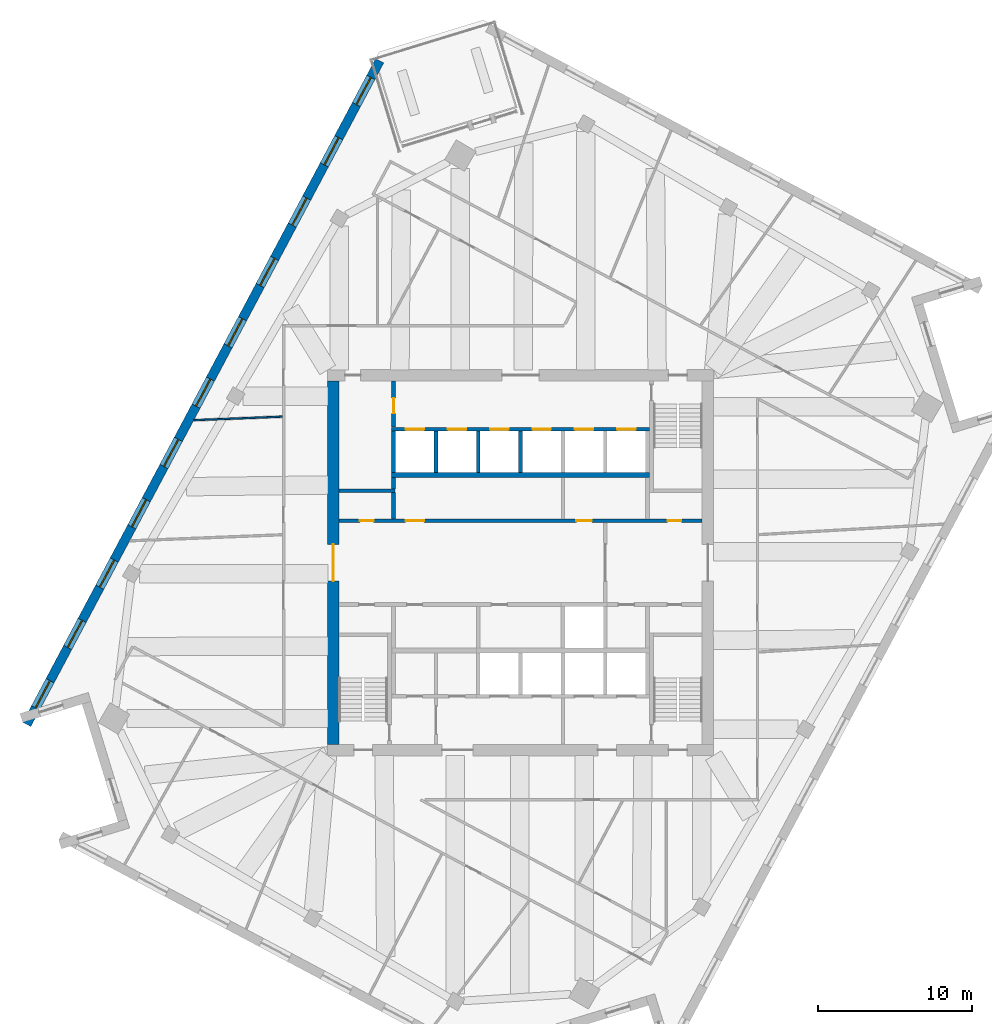
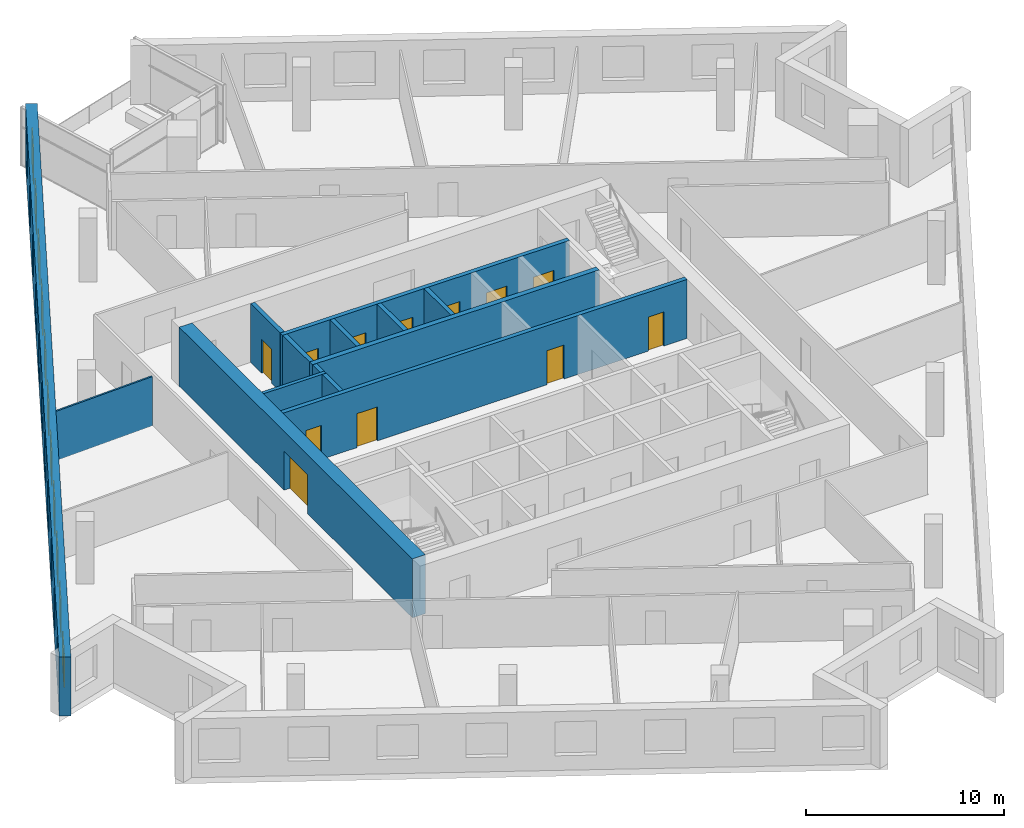
# One storey, part 9 of 13: 14 walls, 12 doors, 11 windows, 23 openings.
"""IFC4 building model written with IfcOpenShell, lengths in metres."""

from ifc_helpers import new_model, si_unit, direction, frame, frame_2d, origin, place, context, subcontext, project, spatial, rectangle, extrude, material, layer, layer_set, type_object, element, fill, save


model = new_model("IFC4")

# Units and contexts
model_context = context("Model", 3, precision=1e-05, world=origin(), true_north=direction((0.0, 1.0)))
body_context = subcontext(model_context, "Body", "Model", "MODEL_VIEW")
ifc_project = project(units=[si_unit("LENGTHUNIT", "METRE"), si_unit("AREAUNIT", "SQUARE_METRE"), si_unit("VOLUMEUNIT", "CUBIC_METRE"), si_unit("PLANEANGLEUNIT", "RADIAN"), si_unit("MASSUNIT", "GRAM", prefix="KILO")], contexts=[model_context])

# Site, building, storey
site_placement = place(None, origin())
site = spatial("IfcSite", under=ifc_project, at=site_placement, CompositionType="ELEMENT")
building_placement = place(site_placement, origin())
building = spatial("IfcBuilding", under=site, at=building_placement, Name="Dilmun Exchange Tower", CompositionType="ELEMENT")
storey_placement = place(building_placement, frame((0.0, 0.0, 278.89990234375)))
storey = spatial("IfcBuildingStorey", under=building, at=storey_placement, Name="L66", CompositionType="ELEMENT", Elevation=278.89990234375)

# Wall
ifc_material_1 = material(Name="Concrete C40/50", Category="concrete")
ifc_layer_1 = layer(ifc_material_1, 0.199951171875)
ifc_layer_set_1 = layer_set([ifc_layer_1], Name="Concrete C40/50")
wall_type_1 = type_object("IfcWallType", Name="Core partition wall 200", PredefinedType="PARTITIONING", material=ifc_layer_set_1)
wall_1_placement = place(storey_placement, frame((-11.794921875, 4.675048828125, 0.0), z_axis=(0.0, 0.0, 1.0), x_axis=(1.0, 0.0, 0.0)))
element("IfcWall", 1, at=wall_1_placement, inside=storey, type_object=wall_type_1, Name="L66 core partition wall 17", PredefinedType="PARTITIONING", context=body_context, shape_type="SweptSolid", body=[
    extrude(rectangle(XDim=3.64501953125, YDim=0.199951171875, at=frame_2d((1.822509765625, 0.0))), origin(), (0.0, 0.0, 1.0), 3.64013671875),
])

# Wall, openings, doors
ifc_layer_2 = layer(ifc_material_1, 0.25)
ifc_layer_set_2 = layer_set([ifc_layer_2], Name="Concrete C40/50")
wall_type_2 = type_object("IfcWallType", Name="Core partition wall 250", PredefinedType="PARTITIONING", material=ifc_layer_set_2)
wall_2_placement = place(storey_placement, frame((-11.794921875, 2.72509765625, 0.0), z_axis=(0.0, 0.0, 1.0), x_axis=(1.0, 0.0, 0.0)))
wall_2 = element("IfcWall", 2, at=wall_2_placement, inside=storey, type_object=wall_type_2, Name="L66 core partition wall 13", PredefinedType="PARTITIONING", context=body_context, shape_type="SweptSolid", body=[
    extrude(rectangle(XDim=23.58984375, YDim=0.25, at=frame_2d((11.794921875, 0.0))), origin(), (0.0, 0.0, 1.0), 3.64013671875),
])
opening_1_placement = place(wall_2_placement, frame((21.344970703125, 0.0, 0.0)))
opening_1 = element("IfcOpeningElement", 3, at=opening_1_placement, cuts=wall_2, Name="Opening CD6", PredefinedType="OPENING", context=body_context, shape_type="SweptSolid", body=[
    extrude(rectangle(XDim=0.89990234375, YDim=2.10009765625, at=frame_2d((0.449951171875, 1.050048828125))), frame((0.0, 0.135009765625, 0.0), z_axis=(0.0, -1.0, 0.0), x_axis=(1.0, 0.0, 0.0)), (0.0, 0.0, 1.0), 0.27001953125),
])
opening_2_placement = place(wall_2_placement, frame((1.344970703125, 0.0, 0.0)))
opening_2 = element("IfcOpeningElement", 4, at=opening_2_placement, cuts=wall_2, Name="Opening CD6", PredefinedType="OPENING", context=body_context, shape_type="SweptSolid", body=[
    extrude(rectangle(XDim=0.89990234375, YDim=2.10009765625, at=frame_2d((0.449951171875, 1.050048828125))), frame((0.0, 0.135009765625, 0.0), z_axis=(0.0, -1.0, 0.0), x_axis=(1.0, 0.0, 0.0)), (0.0, 0.0, 1.0), 0.27001953125),
])
opening_3_placement = place(wall_2_placement, frame((4.320068359375, 0.0, 0.0)))
opening_3 = element("IfcOpeningElement", 5, at=opening_3_placement, cuts=wall_2, Name="Opening CD3", PredefinedType="OPENING", context=body_context, shape_type="SweptSolid", body=[
    extrude(rectangle(XDim=1.199951171875, YDim=2.10009765625, at=frame_2d((0.60009765625, 1.050048828125))), frame((0.0, 0.135009765625, 0.0), z_axis=(0.0, -1.0, 0.0), x_axis=(1.0, 0.0, 0.0)), (0.0, 0.0, 1.0), 0.27001953125),
])
opening_4_placement = place(wall_2_placement, frame((15.419921875, 0.0, 0.0)))
opening_4 = element("IfcOpeningElement", 6, at=opening_4_placement, cuts=wall_2, Name="Opening CD4", PredefinedType="OPENING", context=body_context, shape_type="SweptSolid", body=[
    extrude(rectangle(XDim=1.0, YDim=2.10009765625, at=frame_2d((0.5, 1.050048828125))), frame((0.0, 0.135009765625, 0.0), z_axis=(0.0, -1.0, 0.0), x_axis=(1.0, 0.0, 0.0)), (0.0, 0.0, 1.0), 0.27001953125),
])
ifc_material_2 = material(Name="Fire-rated steel door set", Category="steel")
door_type_1 = type_object("IfcDoorType", Name="Core room door 1000x2100", OperationType="SINGLE_SWING_LEFT", PredefinedType="DOOR", material=ifc_material_2)
door_1_placement = place(opening_4_placement, origin())
door_1 = element("IfcDoor", 7, at=door_1_placement, inside=storey, type_object=door_type_1, Name="L66 door Print and mail room", OperationType="SINGLE_SWING_LEFT", OverallHeight=2.10009765625, OverallWidth=1.0, PredefinedType="DOOR", context=body_context, shape_type="SweptSolid", body=[
    extrude(rectangle(XDim=1.0, YDim=2.10009765625, at=frame_2d((0.5, 1.050048828125))), frame((0.0, 0.02490234375, 0.0), z_axis=(0.0, -1.0, 0.0), x_axis=(1.0, 0.0, 0.0)), (0.0, 0.0, 1.0), 0.050048828125),
])
fill(opening_4, door_1)
door_type_2 = type_object("IfcDoorType", Name="Core room door 900x2100", OperationType="SINGLE_SWING_LEFT", PredefinedType="DOOR", material=ifc_material_2)
door_2_placement = place(opening_1_placement, origin())
door_2 = element("IfcDoor", 8, at=door_2_placement, inside=storey, type_object=door_type_2, Name="L66 door Electrical riser", OperationType="SINGLE_SWING_LEFT", OverallHeight=2.10009765625, OverallWidth=0.89990234375, PredefinedType="DOOR", context=body_context, shape_type="SweptSolid", body=[
    extrude(rectangle(XDim=0.89990234375, YDim=2.10009765625, at=frame_2d((0.449951171875, 1.050048828125))), frame((0.0, 0.02490234375, 0.0), z_axis=(0.0, -1.0, 0.0), x_axis=(1.0, 0.0, 0.0)), (0.0, 0.0, 1.0), 0.050048828125),
])
fill(opening_1, door_2)
door_3_placement = place(opening_2_placement, origin())
door_3 = element("IfcDoor", 9, at=door_3_placement, inside=storey, type_object=door_type_2, Name="L66 door Plumbing riser", OperationType="SINGLE_SWING_LEFT", OverallHeight=2.10009765625, OverallWidth=0.89990234375, PredefinedType="DOOR", context=body_context, shape_type="SweptSolid", body=[
    extrude(rectangle(XDim=0.89990234375, YDim=2.10009765625, at=frame_2d((0.449951171875, 1.050048828125))), frame((0.0, 0.02490234375, 0.0), z_axis=(0.0, -1.0, 0.0), x_axis=(1.0, 0.0, 0.0)), (0.0, 0.0, 1.0), 0.050048828125),
])
fill(opening_2, door_3)
door_type_3 = type_object("IfcDoorType", Name="Stair exit door 1200x2100", OperationType="SINGLE_SWING_LEFT", PredefinedType="DOOR", material=ifc_material_2)
door_4_placement = place(opening_3_placement, origin())
door_4 = element("IfcDoor", 10, at=door_4_placement, inside=storey, type_object=door_type_3, Name="L66 door Facilities workshop", OperationType="SINGLE_SWING_LEFT", OverallHeight=2.10009765625, OverallWidth=1.199951171875, PredefinedType="DOOR", context=body_context, shape_type="SweptSolid", body=[
    extrude(rectangle(XDim=1.199951171875, YDim=2.10009765625, at=frame_2d((0.60009765625, 1.050048828125))), frame((0.0, 0.02490234375, 0.0), z_axis=(0.0, -1.0, 0.0), x_axis=(1.0, 0.0, 0.0)), (0.0, 0.0, 1.0), 0.050048828125),
])
fill(opening_3, door_4)

# Walls
wall_3_placement = place(storey_placement, frame((-8.25, 2.85498046875, 0.0), z_axis=(0.0, 0.0, 1.0), x_axis=(0.0, 1.0, 0.0)))
element("IfcWall", 11, at=wall_3_placement, inside=storey, type_object=wall_type_2, Name="L66 core partition wall 14", PredefinedType="PARTITIONING", context=body_context, shape_type="SweptSolid", body=[
    extrude(rectangle(XDim=1.715087890625, YDim=0.25, at=frame_2d((0.857421875, 0.0))), origin(), (0.0, 0.0, 1.0), 3.64013671875),
])
wall_4_placement = place(storey_placement, frame((-8.25, 4.780029296875, 0.0), z_axis=(0.0, 0.0, 1.0), x_axis=(0.0, 1.0, 0.0)))
element("IfcWall", 12, at=wall_4_placement, inside=storey, type_object=wall_type_2, Name="L66 core partition wall 18", PredefinedType="PARTITIONING", context=body_context, shape_type="SweptSolid", body=[
    extrude(rectangle(XDim=0.764892578125, YDim=0.25, at=frame_2d((0.38232421875, 0.0))), origin(), (0.0, 0.0, 1.0), 3.64013671875),
])

# Wall, opening, door
wall_5_placement = place(storey_placement, frame((-8.25, 8.804931640625, 0.0), z_axis=(0.0, 0.0, 1.0), x_axis=(0.0, 1.0, 0.0)))
wall_5 = element("IfcWall", 13, at=wall_5_placement, inside=storey, type_object=wall_type_2, Name="L66 core partition wall 19", PredefinedType="PARTITIONING", context=body_context, shape_type="SweptSolid", body=[
    extrude(rectangle(XDim=2.989990234375, YDim=0.25, at=frame_2d((1.4951171875, 0.0))), origin(), (0.0, 0.0, 1.0), 3.64013671875),
])
opening_5_placement = place(wall_5_placement, frame((0.89501953125, 0.0, 0.0)))
opening_5 = element("IfcOpeningElement", 14, at=opening_5_placement, cuts=wall_5, Name="Opening CD4", PredefinedType="OPENING", context=body_context, shape_type="SweptSolid", body=[
    extrude(rectangle(XDim=1.0, YDim=2.10009765625, at=frame_2d((0.5, 1.050048828125))), frame((0.0, 0.135009765625, 0.0), z_axis=(0.0, -1.0, 0.0), x_axis=(1.0, 0.0, 0.0)), (0.0, 0.0, 1.0), 0.27001953125),
])
door_5_placement = place(opening_5_placement, origin())
door_5 = element("IfcDoor", 15, at=door_5_placement, inside=storey, type_object=door_type_1, Name="L66 door Facilities office", OperationType="SINGLE_SWING_LEFT", OverallHeight=2.10009765625, OverallWidth=1.0, PredefinedType="DOOR", context=body_context, shape_type="SweptSolid", body=[
    extrude(rectangle(XDim=1.0, YDim=2.10009765625, at=frame_2d((0.5, 1.050048828125))), frame((0.0, 0.02490234375, 0.0), z_axis=(0.0, -1.0, 0.0), x_axis=(1.0, 0.0, 0.0)), (0.0, 0.0, 1.0), 0.050048828125),
])
fill(opening_5, door_5)

ifc_material_3 = material(Name="Concrete C50/60", Category="concrete")
ifc_layer_3 = layer(ifc_material_3, 0.75)
ifc_layer_set_3 = layer_set([ifc_layer_3], Name="Concrete C50/60")
wall_type_3 = type_object("IfcWallType", Name="Core shear wall 750 Concrete C50/60", PredefinedType="SHEAR", material=ifc_layer_set_3)
wall_6_placement = place(storey_placement, frame((-12.175048828125, -11.800048828125, 0.0), z_axis=(0.0, 0.0, 1.0), x_axis=(0.0, 1.0, 0.0)))
wall_6 = element("IfcWall", 16, at=wall_6_placement, inside=storey, type_object=wall_type_3, Name="L66 core shear wall W", PredefinedType="SHEAR", context=body_context, shape_type="SweptSolid", body=[
    extrude(rectangle(XDim=23.60009765625, YDim=0.75, at=frame_2d((11.800048828125, 0.0))), origin(), (0.0, 0.0, 1.0), 3.64013671875),
])
opening_6_placement = place(wall_6_placement, frame((10.60009765625, 0.0, 0.0)))
opening_6 = element("IfcOpeningElement", 17, at=opening_6_placement, cuts=wall_6, Name="Opening CD1", PredefinedType="OPENING", context=body_context, shape_type="SweptSolid", body=[
    extrude(rectangle(XDim=2.39990234375, YDim=2.39990234375, at=frame_2d((1.199951171875, 1.199951171875))), frame((0.0, 0.385009765625, 0.0), z_axis=(0.0, -1.0, 0.0), x_axis=(1.0, 0.0, 0.0)), (0.0, 0.0, 1.0), 0.77001953125),
])
door_type_4 = type_object("IfcDoorType", Name="Core lobby door 2400x2400", OperationType="DOUBLE_DOOR_DOUBLE_SWING", PredefinedType="DOOR", material=ifc_material_2)
door_6_placement = place(opening_6_placement, origin())
door_6 = element("IfcDoor", 18, at=door_6_placement, inside=storey, type_object=door_type_4, Name="L66 door Central lift lobby", OperationType="SINGLE_SWING_LEFT", OverallHeight=2.39990234375, OverallWidth=2.39990234375, PredefinedType="DOOR", context=body_context, shape_type="SweptSolid", body=[
    extrude(rectangle(XDim=2.39990234375, YDim=2.39990234375, at=frame_2d((1.199951171875, 1.199951171875))), frame((0.0, 0.02490234375, 0.0), z_axis=(0.0, -1.0, 0.0), x_axis=(1.0, 0.0, 0.0)), (0.0, 0.0, 1.0), 0.050048828125),
])
fill(opening_6, door_6)

# Wall
ifc_layer_4 = layer(ifc_material_1, 0.300048828125)
ifc_layer_set_4 = layer_set([ifc_layer_4], Name="Concrete C40/50")
wall_type_4 = type_object("IfcWallType", Name="Lift shaft shared wall 300", PredefinedType="SOLIDWALL", material=ifc_layer_set_4)
wall_7_placement = place(storey_placement, frame((-8.375, 5.699951171875, 0.0), z_axis=(0.0, 0.0, 1.0), x_axis=(1.0, 0.0, 0.0)))
element("IfcWall", 19, at=wall_7_placement, inside=storey, type_object=wall_type_4, Name="L66 lift shaft rear wall N", PredefinedType="SOLIDWALL", context=body_context, shape_type="SweptSolid", body=[
    extrude(rectangle(XDim=16.75, YDim=0.300048828125, at=frame_2d((8.375, 0.0))), origin(), (0.0, 0.0, 1.0), 3.64013671875),
])

# Wall, openings, doors
ifc_layer_5 = layer(ifc_material_1, 0.25)
ifc_layer_set_5 = layer_set([ifc_layer_5], Name="Concrete C40/50")
wall_type_5 = type_object("IfcWallType", Name="Lift shaft wall 250", PredefinedType="SOLIDWALL", material=ifc_layer_set_5)
wall_8_placement = place(storey_placement, frame((-8.375, 8.675048828125, 0.0), z_axis=(0.0, 0.0, 1.0), x_axis=(1.0, 0.0, 0.0)))
wall_8 = element("IfcWall", 20, at=wall_8_placement, inside=storey, type_object=wall_type_5, Name="L66 lift shaft front wall N2", PredefinedType="SOLIDWALL", context=body_context, shape_type="SweptSolid", body=[
    extrude(rectangle(XDim=16.75, YDim=0.25, at=frame_2d((8.375, 0.0))), origin(), (0.0, 0.0, 1.0), 3.64013671875),
])
opening_7_placement = place(wall_8_placement, frame((0.89990234375, 0.0, 0.0)))
opening_7 = element("IfcOpeningElement", 21, at=opening_7_placement, cuts=wall_8, Name="Opening LD", PredefinedType="OPENING", context=body_context, shape_type="SweptSolid", body=[
    extrude(rectangle(XDim=1.199951171875, YDim=2.10009765625, at=frame_2d((0.60009765625, 1.050048828125))), frame((0.0, 0.135009765625, 0.0), z_axis=(0.0, -1.0, 0.0), x_axis=(1.0, 0.0, 0.0)), (0.0, 0.0, 1.0), 0.27001953125),
])
opening_8_placement = place(wall_8_placement, frame((3.64990234375, 0.0, 0.0)))
opening_8 = element("IfcOpeningElement", 22, at=opening_8_placement, cuts=wall_8, Name="Opening LD", PredefinedType="OPENING", context=body_context, shape_type="SweptSolid", body=[
    extrude(rectangle(XDim=1.199951171875, YDim=2.10009765625, at=frame_2d((0.60009765625, 1.050048828125))), frame((0.0, 0.135009765625, 0.0), z_axis=(0.0, -1.0, 0.0), x_axis=(1.0, 0.0, 0.0)), (0.0, 0.0, 1.0), 0.27001953125),
])
opening_9_placement = place(wall_8_placement, frame((6.39990234375, 0.0, 0.0)))
opening_9 = element("IfcOpeningElement", 23, at=opening_9_placement, cuts=wall_8, Name="Opening LD", PredefinedType="OPENING", context=body_context, shape_type="SweptSolid", body=[
    extrude(rectangle(XDim=1.199951171875, YDim=2.10009765625, at=frame_2d((0.60009765625, 1.050048828125))), frame((0.0, 0.135009765625, 0.0), z_axis=(0.0, -1.0, 0.0), x_axis=(1.0, 0.0, 0.0)), (0.0, 0.0, 1.0), 0.27001953125),
])
opening_10_placement = place(wall_8_placement, frame((9.14990234375, 0.0, 0.0)))
opening_10 = element("IfcOpeningElement", 24, at=opening_10_placement, cuts=wall_8, Name="Opening LD", PredefinedType="OPENING", context=body_context, shape_type="SweptSolid", body=[
    extrude(rectangle(XDim=1.199951171875, YDim=2.10009765625, at=frame_2d((0.60009765625, 1.050048828125))), frame((0.0, 0.135009765625, 0.0), z_axis=(0.0, -1.0, 0.0), x_axis=(1.0, 0.0, 0.0)), (0.0, 0.0, 1.0), 0.27001953125),
])
opening_11_placement = place(wall_8_placement, frame((11.89990234375, 0.0, 0.0)))
opening_11 = element("IfcOpeningElement", 25, at=opening_11_placement, cuts=wall_8, Name="Opening LD", PredefinedType="OPENING", context=body_context, shape_type="SweptSolid", body=[
    extrude(rectangle(XDim=1.199951171875, YDim=2.10009765625, at=frame_2d((0.60009765625, 1.050048828125))), frame((0.0, 0.135009765625, 0.0), z_axis=(0.0, -1.0, 0.0), x_axis=(1.0, 0.0, 0.0)), (0.0, 0.0, 1.0), 0.27001953125),
])
opening_12_placement = place(wall_8_placement, frame((14.64990234375, 0.0, 0.0)))
opening_12 = element("IfcOpeningElement", 26, at=opening_12_placement, cuts=wall_8, Name="Opening LD", PredefinedType="OPENING", context=body_context, shape_type="SweptSolid", body=[
    extrude(rectangle(XDim=1.199951171875, YDim=2.10009765625, at=frame_2d((0.60009765625, 1.050048828125))), frame((0.0, 0.135009765625, 0.0), z_axis=(0.0, -1.0, 0.0), x_axis=(1.0, 0.0, 0.0)), (0.0, 0.0, 1.0), 0.27001953125),
])
door_type_5 = type_object("IfcDoorType", Name="Lift landing door 1200x2100", OperationType="DOUBLE_DOOR_SLIDING", PredefinedType="DOOR", material=ifc_material_2)
door_7_placement = place(opening_7_placement, origin())
door_7 = element("IfcDoor", 27, at=door_7_placement, inside=storey, type_object=door_type_5, Name="L66 landing door HR1", OperationType="DOUBLE_DOOR_SLIDING", OverallHeight=2.10009765625, OverallWidth=1.199951171875, PredefinedType="DOOR", context=body_context, shape_type="SweptSolid", body=[
    extrude(rectangle(XDim=1.199951171875, YDim=2.10009765625, at=frame_2d((0.60009765625, 1.050048828125))), frame((0.0, 0.02490234375, 0.0), z_axis=(0.0, -1.0, 0.0), x_axis=(1.0, 0.0, 0.0)), (0.0, 0.0, 1.0), 0.050048828125),
])
fill(opening_7, door_7)
door_8_placement = place(opening_8_placement, origin())
door_8 = element("IfcDoor", 28, at=door_8_placement, inside=storey, type_object=door_type_5, Name="L66 landing door HR2", OperationType="DOUBLE_DOOR_SLIDING", OverallHeight=2.10009765625, OverallWidth=1.199951171875, PredefinedType="DOOR", context=body_context, shape_type="SweptSolid", body=[
    extrude(rectangle(XDim=1.199951171875, YDim=2.10009765625, at=frame_2d((0.60009765625, 1.050048828125))), frame((0.0, 0.02490234375, 0.0), z_axis=(0.0, -1.0, 0.0), x_axis=(1.0, 0.0, 0.0)), (0.0, 0.0, 1.0), 0.050048828125),
])
fill(opening_8, door_8)
door_9_placement = place(opening_9_placement, origin())
door_9 = element("IfcDoor", 29, at=door_9_placement, inside=storey, type_object=door_type_5, Name="L66 landing door HR3", OperationType="DOUBLE_DOOR_SLIDING", OverallHeight=2.10009765625, OverallWidth=1.199951171875, PredefinedType="DOOR", context=body_context, shape_type="SweptSolid", body=[
    extrude(rectangle(XDim=1.199951171875, YDim=2.10009765625, at=frame_2d((0.60009765625, 1.050048828125))), frame((0.0, 0.02490234375, 0.0), z_axis=(0.0, -1.0, 0.0), x_axis=(1.0, 0.0, 0.0)), (0.0, 0.0, 1.0), 0.050048828125),
])
fill(opening_9, door_9)
door_10_placement = place(opening_10_placement, origin())
door_10 = element("IfcDoor", 30, at=door_10_placement, inside=storey, type_object=door_type_5, Name="L66 landing door HR4", OperationType="DOUBLE_DOOR_SLIDING", OverallHeight=2.10009765625, OverallWidth=1.199951171875, PredefinedType="DOOR", context=body_context, shape_type="SweptSolid", body=[
    extrude(rectangle(XDim=1.199951171875, YDim=2.10009765625, at=frame_2d((0.60009765625, 1.050048828125))), frame((0.0, 0.02490234375, 0.0), z_axis=(0.0, -1.0, 0.0), x_axis=(1.0, 0.0, 0.0)), (0.0, 0.0, 1.0), 0.050048828125),
])
fill(opening_10, door_10)
door_11_placement = place(opening_11_placement, origin())
door_11 = element("IfcDoor", 31, at=door_11_placement, inside=storey, type_object=door_type_5, Name="L66 landing door HR5", OperationType="DOUBLE_DOOR_SLIDING", OverallHeight=2.10009765625, OverallWidth=1.199951171875, PredefinedType="DOOR", context=body_context, shape_type="SweptSolid", body=[
    extrude(rectangle(XDim=1.199951171875, YDim=2.10009765625, at=frame_2d((0.60009765625, 1.050048828125))), frame((0.0, 0.02490234375, 0.0), z_axis=(0.0, -1.0, 0.0), x_axis=(1.0, 0.0, 0.0)), (0.0, 0.0, 1.0), 0.050048828125),
])
fill(opening_11, door_11)
door_12_placement = place(opening_12_placement, origin())
door_12 = element("IfcDoor", 32, at=door_12_placement, inside=storey, type_object=door_type_5, Name="L66 landing door HR6", OperationType="DOUBLE_DOOR_SLIDING", OverallHeight=2.10009765625, OverallWidth=1.199951171875, PredefinedType="DOOR", context=body_context, shape_type="SweptSolid", body=[
    extrude(rectangle(XDim=1.199951171875, YDim=2.10009765625, at=frame_2d((0.60009765625, 1.050048828125))), frame((0.0, 0.02490234375, 0.0), z_axis=(0.0, -1.0, 0.0), x_axis=(1.0, 0.0, 0.0)), (0.0, 0.0, 1.0), 0.050048828125),
])
fill(opening_12, door_12)

# Walls
for number, where, z_axis, x_axis, name in (
    (33, (-8.25, 5.85009765625, 0.0), (0.0, 0.0, 1.0), (0.0, 1.0, 0.0), "L66 lift shaft divider N20"),
    (34, (-5.5, 5.85009765625, 0.0), (0.0, 0.0, 1.0), (0.0, 1.0, 0.0), "L66 lift shaft divider N21"),
    (35, (-2.75, 5.85009765625, 0.0), (0.0, 0.0, 1.0), (0.0, 1.0, 0.0), "L66 lift shaft divider N22"),
    (36, (0.0, 5.85009765625, 0.0), (0.0, 0.0, 1.0), (0.0, 1.0, 0.0), "L66 lift shaft divider N23"),
):
    element("IfcWall", number, at=place(storey_placement, frame(where, z_axis=z_axis, x_axis=x_axis)), inside=storey, type_object=wall_type_5, Name=name, PredefinedType="SOLIDWALL", context=body_context, shape_type="SweptSolid", body=[
        extrude(rectangle(XDim=2.699951171875, YDim=0.25, at=frame_2d((1.35009765625, 0.0))), origin(), (0.0, 0.0, 1.0), 3.64013671875),
    ])
ifc_material_4 = material(Name="Partition 100")
ifc_layer_6 = layer(ifc_material_4, 0.10009765625)
ifc_layer_set_6 = layer_set([ifc_layer_6], Name="Partition 100")
wall_type_6 = type_object("IfcWallType", Name="Partition 100", PredefinedType="PARTITIONING", material=ifc_layer_set_6)
wall_9_placement = place(storey_placement, frame((-21.235107421875, 9.262939453125, 0.0), z_axis=(0.0, 0.0, 1.0), x_axis=(0.999203325676, 0.039908820555, 0.0)))
element("IfcWall", 37, at=wall_9_placement, inside=storey, type_object=wall_type_6, Name="Partition", PredefinedType="PARTITIONING", context=body_context, shape_type="SweptSolid", body=[
    extrude(rectangle(XDim=5.7626953125, YDim=0.10009765625, at=frame_2d((2.88134765625, 0.0))), origin(), (0.0, 0.0, 1.0), 3.0400390625),
])

# Wall, openings, windows
ifc_material_5 = material(Name="Precast concrete C50/60", Category="concrete")
ifc_layer_7 = layer(ifc_material_5, 0.60009765625)
ifc_layer_set_7 = layer_set([ifc_layer_7], Name="Precast concrete C50/60")
wall_type_7 = type_object("IfcWallType", Name="Precast stone-clad wall 600", PredefinedType="STANDARD", material=ifc_layer_set_7)
wall_10_placement = place(storey_placement, frame((-9.158935546875, 32.617919921875, 0.0), z_axis=(0.0, 0.0, 1.0), x_axis=(-0.469470468388, -0.88294817476, 0.0)))
wall_10 = element("IfcWall", 38, at=wall_10_placement, inside=storey, type_object=wall_type_7, Name="Facade wall L66-03", PredefinedType="STANDARD", context=body_context, shape_type="SweptSolid", body=[
    extrude(rectangle(XDim=48.84326171875, YDim=0.60009765625, at=frame_2d((24.421630859375, 0.0))), origin(), (0.0, 0.0, 1.0), 3.64013671875),
])
opening_13_placement = place(wall_10_placement, frame((1.22021484375, 0.0, 0.89990234375)))
opening_13 = element("IfcOpeningElement", 39, at=opening_13_placement, cuts=wall_10, Name="Opening W200-210", PredefinedType="OPENING", context=body_context, shape_type="SweptSolid", body=[
    extrude(rectangle(XDim=2.0, YDim=2.10009765625, at=frame_2d((1.0, 1.050048828125))), frame((0.0, 0.31005859375, 0.0), z_axis=(0.0, -1.0, 0.0), x_axis=(1.0, 0.0, 0.0)), (0.0, 0.0, 1.0), 0.6201171875),
])
opening_14_placement = place(wall_10_placement, frame((5.660400390625, 0.0, 0.89990234375)))
opening_14 = element("IfcOpeningElement", 40, at=opening_14_placement, cuts=wall_10, Name="Opening W200-210", PredefinedType="OPENING", context=body_context, shape_type="SweptSolid", body=[
    extrude(rectangle(XDim=2.0, YDim=2.10009765625, at=frame_2d((1.0, 1.050048828125))), frame((0.0, 0.31005859375, 0.0), z_axis=(0.0, -1.0, 0.0), x_axis=(1.0, 0.0, 0.0)), (0.0, 0.0, 1.0), 0.6201171875),
])
opening_15_placement = place(wall_10_placement, frame((10.1005859375, 0.0, 0.89990234375)))
opening_15 = element("IfcOpeningElement", 41, at=opening_15_placement, cuts=wall_10, Name="Opening W200-210", PredefinedType="OPENING", context=body_context, shape_type="SweptSolid", body=[
    extrude(rectangle(XDim=2.0, YDim=2.10009765625, at=frame_2d((1.0, 1.050048828125))), frame((0.0, 0.31005859375, 0.0), z_axis=(0.0, -1.0, 0.0), x_axis=(1.0, 0.0, 0.0)), (0.0, 0.0, 1.0), 0.6201171875),
])
opening_16_placement = place(wall_10_placement, frame((14.541015625, 0.0, 0.89990234375)))
opening_16 = element("IfcOpeningElement", 42, at=opening_16_placement, cuts=wall_10, Name="Opening W200-210", PredefinedType="OPENING", context=body_context, shape_type="SweptSolid", body=[
    extrude(rectangle(XDim=2.0, YDim=2.10009765625, at=frame_2d((1.0, 1.050048828125))), frame((0.0, 0.31005859375, 0.0), z_axis=(0.0, -1.0, 0.0), x_axis=(1.0, 0.0, 0.0)), (0.0, 0.0, 1.0), 0.6201171875),
])
opening_17_placement = place(wall_10_placement, frame((18.981201171875, 0.0, 0.89990234375)))
opening_17 = element("IfcOpeningElement", 43, at=opening_17_placement, cuts=wall_10, Name="Opening W200-210", PredefinedType="OPENING", context=body_context, shape_type="SweptSolid", body=[
    extrude(rectangle(XDim=2.0, YDim=2.10009765625, at=frame_2d((1.0, 1.050048828125))), frame((0.0, 0.31005859375, 0.0), z_axis=(0.0, -1.0, 0.0), x_axis=(1.0, 0.0, 0.0)), (0.0, 0.0, 1.0), 0.6201171875),
])
opening_18_placement = place(wall_10_placement, frame((23.421630859375, 0.0, 0.89990234375)))
opening_18 = element("IfcOpeningElement", 44, at=opening_18_placement, cuts=wall_10, Name="Opening W200-210", PredefinedType="OPENING", context=body_context, shape_type="SweptSolid", body=[
    extrude(rectangle(XDim=2.0, YDim=2.10009765625, at=frame_2d((1.0, 1.050048828125))), frame((0.0, 0.31005859375, 0.0), z_axis=(0.0, -1.0, 0.0), x_axis=(1.0, 0.0, 0.0)), (0.0, 0.0, 1.0), 0.6201171875),
])
opening_19_placement = place(wall_10_placement, frame((27.86181640625, 0.0, 0.89990234375)))
opening_19 = element("IfcOpeningElement", 45, at=opening_19_placement, cuts=wall_10, Name="Opening W200-210", PredefinedType="OPENING", context=body_context, shape_type="SweptSolid", body=[
    extrude(rectangle(XDim=2.0, YDim=2.10009765625, at=frame_2d((1.0, 1.050048828125))), frame((0.0, 0.31005859375, 0.0), z_axis=(0.0, -1.0, 0.0), x_axis=(1.0, 0.0, 0.0)), (0.0, 0.0, 1.0), 0.6201171875),
])
opening_20_placement = place(wall_10_placement, frame((32.302001953125, 0.0, 0.89990234375)))
opening_20 = element("IfcOpeningElement", 46, at=opening_20_placement, cuts=wall_10, Name="Opening W200-210", PredefinedType="OPENING", context=body_context, shape_type="SweptSolid", body=[
    extrude(rectangle(XDim=2.0, YDim=2.10009765625, at=frame_2d((1.0, 1.050048828125))), frame((0.0, 0.31005859375, 0.0), z_axis=(0.0, -1.0, 0.0), x_axis=(1.0, 0.0, 0.0)), (0.0, 0.0, 1.0), 0.6201171875),
])
opening_21_placement = place(wall_10_placement, frame((36.742431640625, 0.0, 0.89990234375)))
opening_21 = element("IfcOpeningElement", 47, at=opening_21_placement, cuts=wall_10, Name="Opening W200-210", PredefinedType="OPENING", context=body_context, shape_type="SweptSolid", body=[
    extrude(rectangle(XDim=2.0, YDim=2.10009765625, at=frame_2d((1.0, 1.050048828125))), frame((0.0, 0.31005859375, 0.0), z_axis=(0.0, -1.0, 0.0), x_axis=(1.0, 0.0, 0.0)), (0.0, 0.0, 1.0), 0.6201171875),
])
opening_22_placement = place(wall_10_placement, frame((41.1826171875, 0.0, 0.89990234375)))
opening_22 = element("IfcOpeningElement", 48, at=opening_22_placement, cuts=wall_10, Name="Opening W200-210", PredefinedType="OPENING", context=body_context, shape_type="SweptSolid", body=[
    extrude(rectangle(XDim=2.0, YDim=2.10009765625, at=frame_2d((1.0, 1.050048828125))), frame((0.0, 0.31005859375, 0.0), z_axis=(0.0, -1.0, 0.0), x_axis=(1.0, 0.0, 0.0)), (0.0, 0.0, 1.0), 0.6201171875),
])
opening_23_placement = place(wall_10_placement, frame((45.623046875, 0.0, 0.89990234375)))
opening_23 = element("IfcOpeningElement", 49, at=opening_23_placement, cuts=wall_10, Name="Opening W200-210", PredefinedType="OPENING", context=body_context, shape_type="SweptSolid", body=[
    extrude(rectangle(XDim=2.0, YDim=2.10009765625, at=frame_2d((1.0, 1.050048828125))), frame((0.0, 0.31005859375, 0.0), z_axis=(0.0, -1.0, 0.0), x_axis=(1.0, 0.0, 0.0)), (0.0, 0.0, 1.0), 0.6201171875),
])
ifc_material_6 = material(Name="Clear low-emissivity glass in aluminium frame", Category="aluminium")
window_type = type_object("IfcWindowType", Name="Punched window 2000 x 2100", PartitioningType="DOUBLE_PANEL_VERTICAL", PredefinedType="WINDOW", material=ifc_material_6)
window_1_placement = place(opening_13_placement, origin())
window_1 = element("IfcWindow", 50, at=window_1_placement, inside=storey, type_object=window_type, Name="Window 4.1", OverallHeight=2.10009765625, OverallWidth=2.0, PartitioningType="SINGLE_PANEL", PredefinedType="WINDOW", context=body_context, shape_type="SweptSolid", body=[
    extrude(rectangle(XDim=2.0, YDim=2.10009765625, at=frame_2d((1.0, 1.050048828125))), frame((0.0, 0.030029296875, 0.0), z_axis=(0.0, -1.0, 0.0), x_axis=(1.0, 0.0, 0.0)), (0.0, 0.0, 1.0), 0.06005859375),
])
fill(opening_13, window_1)
window_2_placement = place(opening_14_placement, origin())
window_2 = element("IfcWindow", 51, at=window_2_placement, inside=storey, type_object=window_type, Name="Window 4.2", OverallHeight=2.10009765625, OverallWidth=2.0, PartitioningType="SINGLE_PANEL", PredefinedType="WINDOW", context=body_context, shape_type="SweptSolid", body=[
    extrude(rectangle(XDim=2.0, YDim=2.10009765625, at=frame_2d((1.0, 1.050048828125))), frame((0.0, 0.030029296875, 0.0), z_axis=(0.0, -1.0, 0.0), x_axis=(1.0, 0.0, 0.0)), (0.0, 0.0, 1.0), 0.06005859375),
])
fill(opening_14, window_2)
window_3_placement = place(opening_15_placement, origin())
window_3 = element("IfcWindow", 52, at=window_3_placement, inside=storey, type_object=window_type, Name="Window 4.3", OverallHeight=2.10009765625, OverallWidth=2.0, PartitioningType="SINGLE_PANEL", PredefinedType="WINDOW", context=body_context, shape_type="SweptSolid", body=[
    extrude(rectangle(XDim=2.0, YDim=2.10009765625, at=frame_2d((1.0, 1.050048828125))), frame((0.0, 0.030029296875, 0.0), z_axis=(0.0, -1.0, 0.0), x_axis=(1.0, 0.0, 0.0)), (0.0, 0.0, 1.0), 0.06005859375),
])
fill(opening_15, window_3)
window_4_placement = place(opening_16_placement, origin())
window_4 = element("IfcWindow", 53, at=window_4_placement, inside=storey, type_object=window_type, Name="Window 4.4", OverallHeight=2.10009765625, OverallWidth=2.0, PartitioningType="SINGLE_PANEL", PredefinedType="WINDOW", context=body_context, shape_type="SweptSolid", body=[
    extrude(rectangle(XDim=2.0, YDim=2.10009765625, at=frame_2d((1.0, 1.050048828125))), frame((0.0, 0.030029296875, 0.0), z_axis=(0.0, -1.0, 0.0), x_axis=(1.0, 0.0, 0.0)), (0.0, 0.0, 1.0), 0.06005859375),
])
fill(opening_16, window_4)
window_5_placement = place(opening_17_placement, origin())
window_5 = element("IfcWindow", 54, at=window_5_placement, inside=storey, type_object=window_type, Name="Window 4.5", OverallHeight=2.10009765625, OverallWidth=2.0, PartitioningType="SINGLE_PANEL", PredefinedType="WINDOW", context=body_context, shape_type="SweptSolid", body=[
    extrude(rectangle(XDim=2.0, YDim=2.10009765625, at=frame_2d((1.0, 1.050048828125))), frame((0.0, 0.030029296875, 0.0), z_axis=(0.0, -1.0, 0.0), x_axis=(1.0, 0.0, 0.0)), (0.0, 0.0, 1.0), 0.06005859375),
])
fill(opening_17, window_5)
window_6_placement = place(opening_18_placement, origin())
window_6 = element("IfcWindow", 55, at=window_6_placement, inside=storey, type_object=window_type, Name="Window 4.6", OverallHeight=2.10009765625, OverallWidth=2.0, PartitioningType="SINGLE_PANEL", PredefinedType="WINDOW", context=body_context, shape_type="SweptSolid", body=[
    extrude(rectangle(XDim=2.0, YDim=2.10009765625, at=frame_2d((1.0, 1.050048828125))), frame((0.0, 0.030029296875, 0.0), z_axis=(0.0, -1.0, 0.0), x_axis=(1.0, 0.0, 0.0)), (0.0, 0.0, 1.0), 0.06005859375),
])
fill(opening_18, window_6)
window_7_placement = place(opening_19_placement, origin())
window_7 = element("IfcWindow", 56, at=window_7_placement, inside=storey, type_object=window_type, Name="Window 4.7", OverallHeight=2.10009765625, OverallWidth=2.0, PartitioningType="SINGLE_PANEL", PredefinedType="WINDOW", context=body_context, shape_type="SweptSolid", body=[
    extrude(rectangle(XDim=2.0, YDim=2.10009765625, at=frame_2d((1.0, 1.050048828125))), frame((0.0, 0.030029296875, 0.0), z_axis=(0.0, -1.0, 0.0), x_axis=(1.0, 0.0, 0.0)), (0.0, 0.0, 1.0), 0.06005859375),
])
fill(opening_19, window_7)
window_8_placement = place(opening_20_placement, origin())
window_8 = element("IfcWindow", 57, at=window_8_placement, inside=storey, type_object=window_type, Name="Window 4.8", OverallHeight=2.10009765625, OverallWidth=2.0, PartitioningType="SINGLE_PANEL", PredefinedType="WINDOW", context=body_context, shape_type="SweptSolid", body=[
    extrude(rectangle(XDim=2.0, YDim=2.10009765625, at=frame_2d((1.0, 1.050048828125))), frame((0.0, 0.030029296875, 0.0), z_axis=(0.0, -1.0, 0.0), x_axis=(1.0, 0.0, 0.0)), (0.0, 0.0, 1.0), 0.06005859375),
])
fill(opening_20, window_8)
window_9_placement = place(opening_21_placement, origin())
window_9 = element("IfcWindow", 58, at=window_9_placement, inside=storey, type_object=window_type, Name="Window 4.9", OverallHeight=2.10009765625, OverallWidth=2.0, PartitioningType="SINGLE_PANEL", PredefinedType="WINDOW", context=body_context, shape_type="SweptSolid", body=[
    extrude(rectangle(XDim=2.0, YDim=2.10009765625, at=frame_2d((1.0, 1.050048828125))), frame((0.0, 0.030029296875, 0.0), z_axis=(0.0, -1.0, 0.0), x_axis=(1.0, 0.0, 0.0)), (0.0, 0.0, 1.0), 0.06005859375),
])
fill(opening_21, window_9)
window_10_placement = place(opening_22_placement, origin())
window_10 = element("IfcWindow", 59, at=window_10_placement, inside=storey, type_object=window_type, Name="Window 4.10", OverallHeight=2.10009765625, OverallWidth=2.0, PartitioningType="SINGLE_PANEL", PredefinedType="WINDOW", context=body_context, shape_type="SweptSolid", body=[
    extrude(rectangle(XDim=2.0, YDim=2.10009765625, at=frame_2d((1.0, 1.050048828125))), frame((0.0, 0.030029296875, 0.0), z_axis=(0.0, -1.0, 0.0), x_axis=(1.0, 0.0, 0.0)), (0.0, 0.0, 1.0), 0.06005859375),
])
fill(opening_22, window_10)
window_11_placement = place(opening_23_placement, origin())
window_11 = element("IfcWindow", 60, at=window_11_placement, inside=storey, type_object=window_type, Name="Window 4.11", OverallHeight=2.10009765625, OverallWidth=2.0, PartitioningType="SINGLE_PANEL", PredefinedType="WINDOW", context=body_context, shape_type="SweptSolid", body=[
    extrude(rectangle(XDim=2.0, YDim=2.10009765625, at=frame_2d((1.0, 1.050048828125))), frame((0.0, 0.030029296875, 0.0), z_axis=(0.0, -1.0, 0.0), x_axis=(1.0, 0.0, 0.0)), (0.0, 0.0, 1.0), 0.06005859375),
])
fill(opening_23, window_11)

save(model, "model.ifc")
